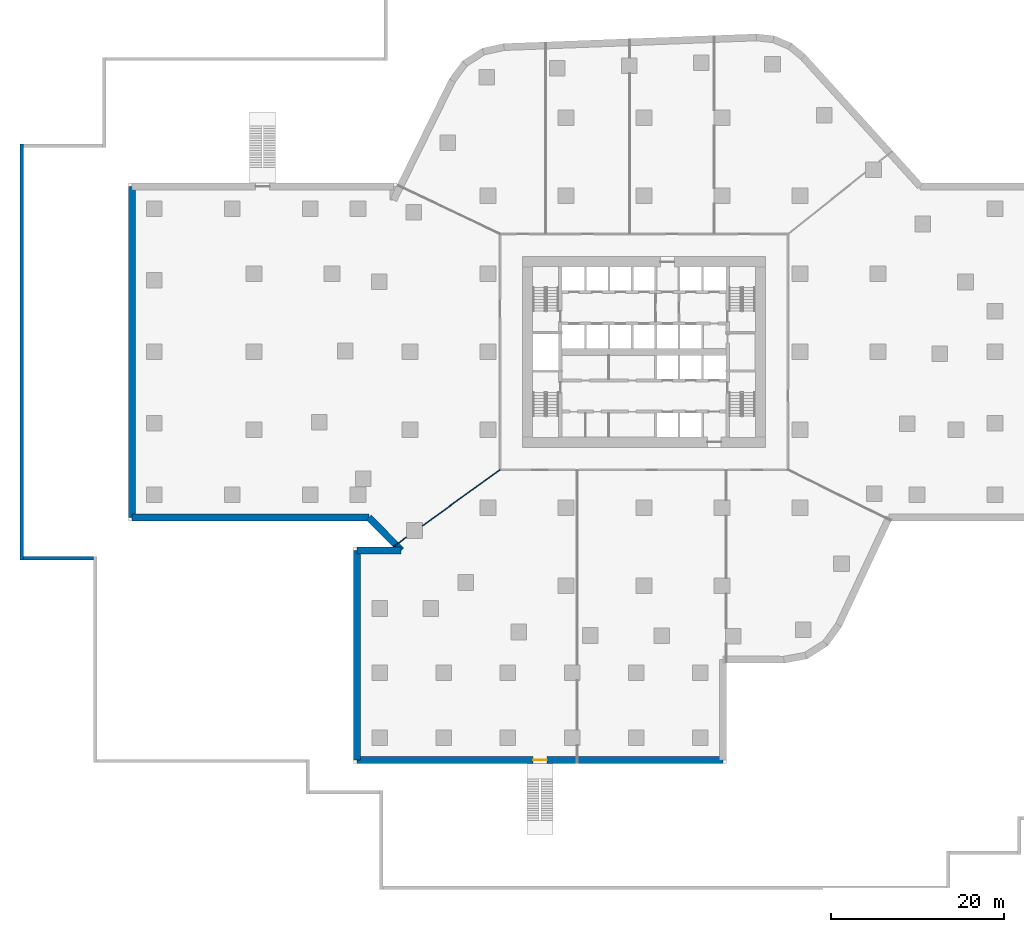
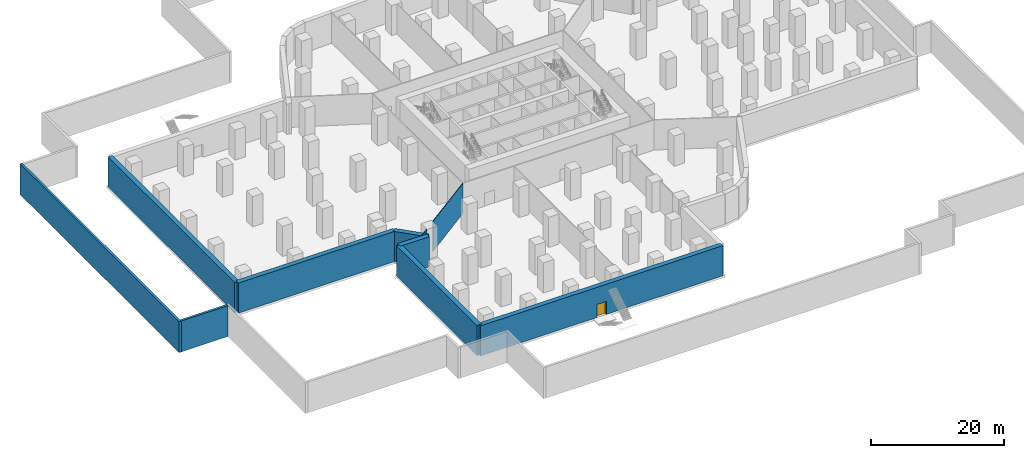
# One storey, part 2 of 11: 10 walls, 1 door, 1 opening.
"""IFC4 building model written with IfcOpenShell, lengths in metres."""

from ifc_helpers import new_model, si_unit, direction, frame, frame_2d, origin, place, context, subcontext, project, spatial, rectangle, extrude, material, layer, layer_set, type_object, element, fill, save


model = new_model("IFC4")

# Units and contexts
model_context = context("Model", 3, precision=1e-05, world=origin(), true_north=direction((0.0, 1.0)))
body_context = subcontext(model_context, "Body", "Model", "MODEL_VIEW")
ifc_project = project(units=[si_unit("LENGTHUNIT", "METRE"), si_unit("AREAUNIT", "SQUARE_METRE"), si_unit("VOLUMEUNIT", "CUBIC_METRE"), si_unit("PLANEANGLEUNIT", "RADIAN"), si_unit("MASSUNIT", "GRAM", prefix="KILO")], contexts=[model_context])

# Site, building, storey
site_placement = place(None, origin())
site = spatial("IfcSite", under=ifc_project, at=site_placement, CompositionType="ELEMENT")
building_placement = place(site_placement, origin())
building = spatial("IfcBuilding", under=site, at=building_placement, Name="Dongbaek Canopy Tower", CompositionType="ELEMENT")
storey_placement = place(building_placement, frame((0.0, 0.0, -6.0)))
storey = spatial("IfcBuildingStorey", under=building, at=storey_placement, Name="B1", CompositionType="ELEMENT", Elevation=-6.0)

# Walls
ifc_material_1 = material(Name="Gypsum board partition, steel stud, 2 x 12.5 mm board", Category="steel")
ifc_layer_1 = layer(ifc_material_1, 0.10009765625)
ifc_layer_set_1 = layer_set([ifc_layer_1], Name="Partition 100 gypsum board")
wall_type_1 = type_object("IfcWallType", Name="Partition 100 gypsum board", PredefinedType="PARTITIONING", material=ifc_layer_set_1)
wall_1_placement = place(storey_placement, frame((-28.865478515625, -22.43017578125, 0.0), z_axis=(0.0, 0.0, 1.0), x_axis=(0.811531815169, 0.584308234555, 0.0)))
element("IfcWall", 1, at=wall_1_placement, inside=storey, type_object=wall_type_1, Name="Partition", PredefinedType="PARTITIONING", context=body_context, shape_type="SweptSolid", body=[
    extrude(rectangle(XDim=1.8330078125, YDim=0.10009765625, at=frame_2d((0.91650390625, 0.0))), origin(), (0.0, 0.0, 1.0), 5.550048828125),
])
wall_2_placement = place(storey_placement, frame((-25.577880859375, -20.0634765625, 0.0), z_axis=(0.0, 0.0, 1.0), x_axis=(0.811568664577, 0.584257051885, 0.0)))
element("IfcWall", 2, at=wall_2_placement, inside=storey, type_object=wall_type_1, Name="Partition", PredefinedType="PARTITIONING", context=body_context, shape_type="SweptSolid", body=[
    extrude(rectangle(XDim=11.0625, YDim=0.10009765625, at=frame_2d((5.53125, 0.0))), origin(), (0.0, 0.0, 1.0), 5.550048828125),
])
ifc_material_2 = material(Name="Concrete C40/50", Category="concrete")
ifc_layer_2 = layer(ifc_material_2, 0.39990234375)
ifc_layer_set_2 = layer_set([ifc_layer_2], Name="Plaza plinth wall 400")
wall_type_2 = type_object("IfcWallType", Name="Plaza plinth wall 400", PredefinedType="SOLIDWALL", material=ifc_layer_set_2)
wall_3_placement = place(storey_placement, frame((-71.60009765625, -23.800048828125, 0.0), z_axis=(0.0, 0.0, 1.0), x_axis=(1.0, 0.0, 0.0)))
element("IfcWall", 3, at=wall_3_placement, inside=storey, type_object=wall_type_2, Name="Plaza plinth wall 12", PredefinedType="SOLIDWALL", context=body_context, shape_type="SweptSolid", body=[
    extrude(rectangle(XDim=8.10009765625, YDim=0.39990234375, at=frame_2d((4.050048828125, 0.0))), origin(), (0.0, 0.0, 1.0), 5.699951171875),
])
wall_4_placement = place(storey_placement, frame((-71.800048828125, -24.0, 0.0), z_axis=(0.0, 0.0, 1.0), x_axis=(0.0, 1.0, 0.0)))
element("IfcWall", 4, at=wall_4_placement, inside=storey, type_object=wall_type_2, Name="Plaza plinth wall 13", PredefinedType="SOLIDWALL", context=body_context, shape_type="SweptSolid", body=[
    extrude(rectangle(XDim=48.0, YDim=0.39990234375, at=frame_2d((24.0, 0.0))), origin(), (0.0, 0.0, 1.0), 5.699951171875),
])
ifc_material_3 = material(Name="Concrete C40", Category="concrete")
ifc_layer_3 = layer(ifc_material_3, 0.800048828125)
ifc_layer_set_3 = layer_set([ifc_layer_3], Name="RC RETAINING WALL 800 Concrete C40")
wall_type_3 = type_object("IfcWallType", Name="RC RETAINING WALL 800 Concrete C40", PredefinedType="SHEAR", material=ifc_layer_set_3)
wall_5_placement = place(storey_placement, frame((-33.10009765625, -47.10009765625, 0.0), z_axis=(0.0, 0.0, 1.0), x_axis=(0.0, 1.0, 0.0)))
element("IfcWall", 5, at=wall_5_placement, inside=storey, type_object=wall_type_3, Name="RWALL:B1:00", PredefinedType="SHEAR", context=body_context, shape_type="SweptSolid", body=[
    extrude(rectangle(XDim=24.2001953125, YDim=0.800048828125, at=frame_2d((12.10009765625, 0.0))), origin(), (0.0, 0.0, 1.0), 5.550048828125),
])
wall_6_placement = place(storey_placement, frame((-33.10009765625, -22.89990234375, 0.0), z_axis=(0.0, 0.0, 1.0), x_axis=(1.0, 0.0, 0.0)))
element("IfcWall", 6, at=wall_6_placement, inside=storey, type_object=wall_type_3, Name="RWALL:B1:01", PredefinedType="SHEAR", context=body_context, shape_type="SweptSolid", body=[
    extrude(rectangle(XDim=5.090576171875, YDim=0.800048828125, at=frame_2d((2.54541015625, 0.0))), origin(), (0.0, 0.0, 1.0), 5.550048828125),
])
wall_7_placement = place(storey_placement, frame((-28.009521484375, -22.89990234375, 0.0), z_axis=(0.0, 0.0, 1.0), x_axis=(-0.701730823209, 0.712442174326, 0.0)))
element("IfcWall", 7, at=wall_7_placement, inside=storey, type_object=wall_type_3, Name="RWALL:B1:02", PredefinedType="SHEAR", context=body_context, shape_type="SweptSolid", body=[
    extrude(rectangle(XDim=5.33349609375, YDim=0.800048828125, at=frame_2d((2.666748046875, 0.0))), origin(), (0.0, 0.0, 1.0), 5.550048828125),
])
wall_8_placement = place(storey_placement, frame((-31.752197265625, -19.10009765625, 0.0), z_axis=(0.0, 0.0, 1.0), x_axis=(-1.0, 0.0, 0.0)))
element("IfcWall", 8, at=wall_8_placement, inside=storey, type_object=wall_type_3, Name="RWALL:B1:03", PredefinedType="SHEAR", context=body_context, shape_type="SweptSolid", body=[
    extrude(rectangle(XDim=27.347900390625, YDim=0.800048828125, at=frame_2d((13.673828125, 0.0))), origin(), (0.0, 0.0, 1.0), 5.550048828125),
])
wall_9_placement = place(storey_placement, frame((-59.10009765625, -19.10009765625, 0.0), z_axis=(0.0, 0.0, 1.0), x_axis=(0.0, 1.0, 0.0)))
element("IfcWall", 9, at=wall_9_placement, inside=storey, type_object=wall_type_3, Name="RWALL:B1:04", PredefinedType="SHEAR", context=body_context, shape_type="SweptSolid", body=[
    extrude(rectangle(XDim=38.2001953125, YDim=0.800048828125, at=frame_2d((19.10009765625, 0.0))), origin(), (0.0, 0.0, 1.0), 5.550048828125),
])

# Wall, opening, door
wall_10_placement = place(storey_placement, frame((9.10009765625, -47.10009765625, 0.0), z_axis=(0.0, 0.0, 1.0), x_axis=(-1.0, 0.0, 0.0)))
wall_10 = element("IfcWall", 10, at=wall_10_placement, inside=storey, type_object=wall_type_3, Name="RWALL:B1:25", PredefinedType="SHEAR", context=body_context, shape_type="SweptSolid", body=[
    extrude(rectangle(XDim=42.2001953125, YDim=0.800048828125, at=frame_2d((21.10009765625, 0.0))), origin(), (0.0, 0.0, 1.0), 5.550048828125),
])
opening_placement = place(wall_10_placement, frame((20.300048828125, 0.0, 0.0)))
opening = element("IfcOpeningElement", 11, at=opening_placement, cuts=wall_10, Name="Opening B1-MA", PredefinedType="OPENING", context=body_context, shape_type="SweptSolid", body=[
    extrude(rectangle(XDim=1.60009765625, YDim=2.39990234375, at=frame_2d((0.800048828125, 1.199951171875))), frame((0.0, 0.409912109375, 0.0), z_axis=(0.0, -1.0, 0.0), x_axis=(1.0, 0.0, 0.0)), (0.0, 0.0, 1.0), 0.820068359375),
])
ifc_material_4 = material(Name="Steel door set", Category="steel")
door_type = type_object("IfcDoorType", Name="Metro concourse door MD1 1600 x 2400", OperationType="DOUBLE_DOOR_SINGLE_SWING", PredefinedType="DOOR", material=ifc_material_4)
door_placement = place(opening_placement, origin())
door = element("IfcDoor", 12, at=door_placement, inside=storey, type_object=door_type, Name="Metro concourse door A", OperationType="SINGLE_SWING_LEFT", OverallHeight=2.39990234375, OverallWidth=1.60009765625, PredefinedType="DOOR", context=body_context, shape_type="SweptSolid", body=[
    extrude(rectangle(XDim=1.60009765625, YDim=2.39990234375, at=frame_2d((0.800048828125, 1.199951171875))), frame((0.0, 0.02490234375, 0.0), z_axis=(0.0, -1.0, 0.0), x_axis=(1.0, 0.0, 0.0)), (0.0, 0.0, 1.0), 0.050048828125),
])
fill(opening, door)

save(model, "model.ifc")
